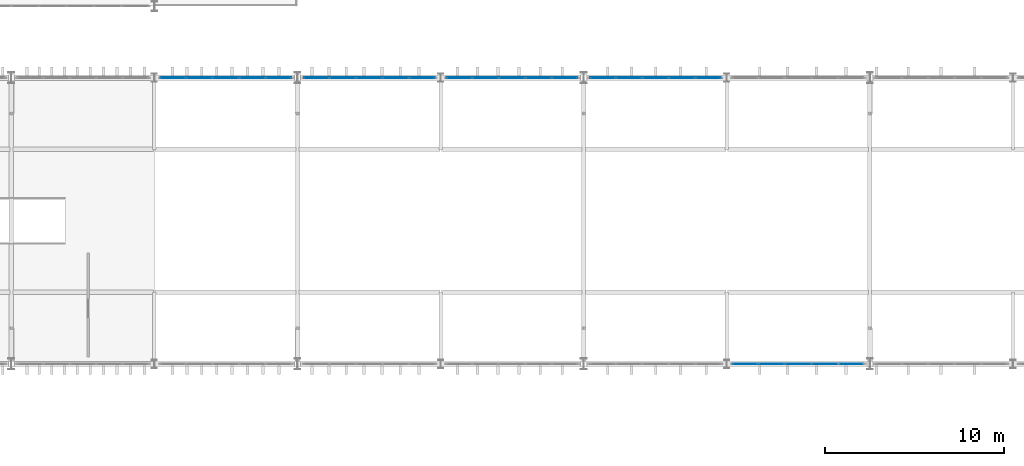
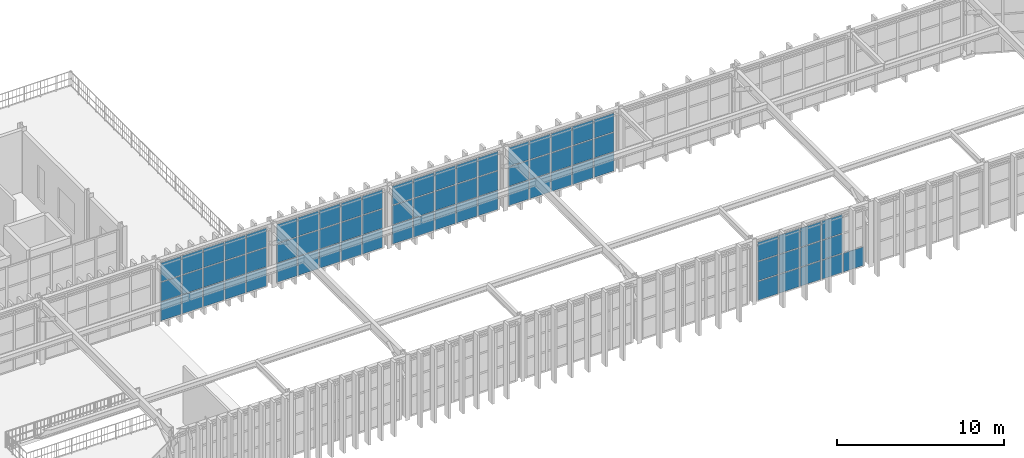
# One storey, part 42 of 61: 73 plates, 5 elements without a shape of their own.
"""IFC4 building model written with IfcOpenShell, lengths in metres."""

from ifc_helpers import new_model, si_unit, direction, frame, origin, origin_2d, place, context, subcontext, project, spatial, rectangle, extrude, material, layer, layer_set, type_object, element, aggregate, save


model = new_model("IFC4")

# Units and contexts
model_context = context("Model", 3, precision=1e-05, world=origin(), true_north=direction((0.0, 1.0)))
body_context = subcontext(model_context, "Body", "Model", "MODEL_VIEW")
ifc_project = project(units=[si_unit("LENGTHUNIT", "METRE"), si_unit("AREAUNIT", "SQUARE_METRE"), si_unit("VOLUMEUNIT", "CUBIC_METRE"), si_unit("PLANEANGLEUNIT", "RADIAN"), si_unit("MASSUNIT", "GRAM", prefix="KILO")], contexts=[model_context])

# Site, building, storey
site_placement = place(None, origin())
site = spatial("IfcSite", under=ifc_project, at=site_placement, CompositionType="ELEMENT")
building_placement = place(site_placement, origin())
building = spatial("IfcBuilding", under=site, at=building_placement, Name="Serraluz Foothill Cableway Terminal", CompositionType="ELEMENT")
storey_placement = place(building_placement, frame((0.0, 0.0, 15.0)))
storey = spatial("IfcBuildingStorey", under=building, at=storey_placement, Name="L03", CompositionType="ELEMENT", Elevation=15.0)

# Curtain wall, plates
ifc_material_1 = material(Name="Architectural bronze alloy C28000", Category="aluminium")
curtain_wall_type_1 = type_object("IfcCurtainWallType", Name="TYP-CW-880X420", PredefinedType="NOTDEFINED", material=ifc_material_1)
curtain_wall_1_placement = place(storey_placement, origin())
curtain_wall_1 = element("IfcCurtainWall", 1, at=curtain_wall_1_placement, inside=storey, type_object=curtain_wall_type_1, Name="Ribbed Glazed Curtain Wall CW-V1N-L03-96", PredefinedType="NOTDEFINED")
ifc_material_2 = material(Name="Translucent ribbed laminated channel glass", Category="glass")
ifc_layer = layer(ifc_material_2, 0.0419921875, Name="Translucent ribbed laminated channel glass", Category="glass")
ifc_layer_set = layer_set([ifc_layer], Name="Translucent ribbed laminated channel glass")
plate_type = type_object("IfcPlateType", Name="TYP-CW-PNL-42", PredefinedType="CURTAIN_PANEL", material=ifc_layer_set)
plate_1_placement = place(storey_placement, frame((97.0380859375, 72.0, 0.06005859375), z_axis=(0.0, 0.0, 1.0), x_axis=(1.0, 0.0, 0.0)))
plate_1 = element("IfcPlate", 2, at=plate_1_placement, type_object=plate_type, Name="CW-19 panel 1.1", PredefinedType="CURTAIN_PANEL", context=body_context, shape_type="SweptSolid", body=[
    extrude(rectangle(XDim=1.393310546875, YDim=0.0419921875, at=origin_2d()), origin(), (0.0, 0.0, 1.0), 1.360107421875),
])
plate_2_placement = place(storey_placement, frame((97.0380859375, 72.0, 1.47998046875), z_axis=(0.0, 0.0, 1.0), x_axis=(1.0, 0.0, 0.0)))
plate_2 = element("IfcPlate", 3, at=plate_2_placement, type_object=plate_type, Name="CW-19 panel 1.2", PredefinedType="CURTAIN_PANEL", context=body_context, shape_type="SweptSolid", body=[
    extrude(rectangle(XDim=1.393310546875, YDim=0.0419921875, at=origin_2d()), origin(), (0.0, 0.0, 1.0), 1.389892578125),
])
plate_3_placement = place(storey_placement, frame((97.0380859375, 72.0, 2.93017578125), z_axis=(0.0, 0.0, 1.0), x_axis=(1.0, 0.0, 0.0)))
plate_3 = element("IfcPlate", 4, at=plate_3_placement, type_object=plate_type, Name="CW-19 panel 1.3", PredefinedType="CURTAIN_PANEL", context=body_context, shape_type="SweptSolid", body=[
    extrude(rectangle(XDim=1.393310546875, YDim=0.0419921875, at=origin_2d()), origin(), (0.0, 0.0, 1.0), 1.360107421875),
])
plate_4_placement = place(storey_placement, frame((98.50634765625, 72.0, 0.06005859375), z_axis=(0.0, 0.0, 1.0), x_axis=(1.0, 0.0, 0.0)))
plate_4 = element("IfcPlate", 5, at=plate_4_placement, type_object=plate_type, Name="CW-19 panel 2.1", PredefinedType="CURTAIN_PANEL", context=body_context, shape_type="SweptSolid", body=[
    extrude(rectangle(XDim=1.423095703125, YDim=0.0419921875, at=origin_2d()), origin(), (0.0, 0.0, 1.0), 1.360107421875),
])
plate_5_placement = place(storey_placement, frame((98.50634765625, 72.0, 1.47998046875), z_axis=(0.0, 0.0, 1.0), x_axis=(1.0, 0.0, 0.0)))
plate_5 = element("IfcPlate", 6, at=plate_5_placement, type_object=plate_type, Name="CW-19 panel 2.2", PredefinedType="CURTAIN_PANEL", context=body_context, shape_type="SweptSolid", body=[
    extrude(rectangle(XDim=1.423095703125, YDim=0.0419921875, at=origin_2d()), origin(), (0.0, 0.0, 1.0), 1.389892578125),
])
plate_6_placement = place(storey_placement, frame((98.50634765625, 72.0, 2.93017578125), z_axis=(0.0, 0.0, 1.0), x_axis=(1.0, 0.0, 0.0)))
plate_6 = element("IfcPlate", 7, at=plate_6_placement, type_object=plate_type, Name="CW-19 panel 2.3", PredefinedType="CURTAIN_PANEL", context=body_context, shape_type="SweptSolid", body=[
    extrude(rectangle(XDim=1.423095703125, YDim=0.0419921875, at=origin_2d()), origin(), (0.0, 0.0, 1.0), 1.360107421875),
])
plate_7_placement = place(storey_placement, frame((99.989501953125, 72.0, 0.06005859375), z_axis=(0.0, 0.0, 1.0), x_axis=(1.0, 0.0, 0.0)))
plate_7 = element("IfcPlate", 8, at=plate_7_placement, type_object=plate_type, Name="CW-19 panel 3.1", PredefinedType="CURTAIN_PANEL", context=body_context, shape_type="SweptSolid", body=[
    extrude(rectangle(XDim=1.423095703125, YDim=0.0419921875, at=origin_2d()), origin(), (0.0, 0.0, 1.0), 1.360107421875),
])
plate_8_placement = place(storey_placement, frame((99.989501953125, 72.0, 1.47998046875), z_axis=(0.0, 0.0, 1.0), x_axis=(1.0, 0.0, 0.0)))
plate_8 = element("IfcPlate", 9, at=plate_8_placement, type_object=plate_type, Name="CW-19 panel 3.2", PredefinedType="CURTAIN_PANEL", context=body_context, shape_type="SweptSolid", body=[
    extrude(rectangle(XDim=1.423095703125, YDim=0.0419921875, at=origin_2d()), origin(), (0.0, 0.0, 1.0), 1.389892578125),
])
plate_9_placement = place(storey_placement, frame((99.989501953125, 72.0, 2.93017578125), z_axis=(0.0, 0.0, 1.0), x_axis=(1.0, 0.0, 0.0)))
plate_9 = element("IfcPlate", 10, at=plate_9_placement, type_object=plate_type, Name="CW-19 panel 3.3", PredefinedType="CURTAIN_PANEL", context=body_context, shape_type="SweptSolid", body=[
    extrude(rectangle(XDim=1.423095703125, YDim=0.0419921875, at=origin_2d()), origin(), (0.0, 0.0, 1.0), 1.360107421875),
])
plate_10_placement = place(storey_placement, frame((101.47265625, 72.0, 0.06005859375), z_axis=(0.0, 0.0, 1.0), x_axis=(1.0, 0.0, 0.0)))
plate_10 = element("IfcPlate", 11, at=plate_10_placement, type_object=plate_type, Name="CW-19 panel 4.1", PredefinedType="CURTAIN_PANEL", context=body_context, shape_type="SweptSolid", body=[
    extrude(rectangle(XDim=1.423095703125, YDim=0.0419921875, at=origin_2d()), origin(), (0.0, 0.0, 1.0), 1.360107421875),
])
plate_11_placement = place(storey_placement, frame((101.47265625, 72.0, 1.47998046875), z_axis=(0.0, 0.0, 1.0), x_axis=(1.0, 0.0, 0.0)))
plate_11 = element("IfcPlate", 12, at=plate_11_placement, type_object=plate_type, Name="CW-19 panel 4.2", PredefinedType="CURTAIN_PANEL", context=body_context, shape_type="SweptSolid", body=[
    extrude(rectangle(XDim=1.423095703125, YDim=0.0419921875, at=origin_2d()), origin(), (0.0, 0.0, 1.0), 1.389892578125),
])
plate_12_placement = place(storey_placement, frame((101.47265625, 72.0, 2.93017578125), z_axis=(0.0, 0.0, 1.0), x_axis=(1.0, 0.0, 0.0)))
plate_12 = element("IfcPlate", 13, at=plate_12_placement, type_object=plate_type, Name="CW-19 panel 4.3", PredefinedType="CURTAIN_PANEL", context=body_context, shape_type="SweptSolid", body=[
    extrude(rectangle(XDim=1.423095703125, YDim=0.0419921875, at=origin_2d()), origin(), (0.0, 0.0, 1.0), 1.360107421875),
])
plate_13_placement = place(storey_placement, frame((102.94091796875, 72.0, 0.06005859375), z_axis=(0.0, 0.0, 1.0), x_axis=(1.0, 0.0, 0.0)))
plate_13 = element("IfcPlate", 14, at=plate_13_placement, type_object=plate_type, Name="CW-19 panel 5.1", PredefinedType="CURTAIN_PANEL", context=body_context, shape_type="SweptSolid", body=[
    extrude(rectangle(XDim=1.393310546875, YDim=0.0419921875, at=origin_2d()), origin(), (0.0, 0.0, 1.0), 1.360107421875),
])
plate_14_placement = place(storey_placement, frame((102.94091796875, 72.0, 1.47998046875), z_axis=(0.0, 0.0, 1.0), x_axis=(1.0, 0.0, 0.0)))
plate_14 = element("IfcPlate", 15, at=plate_14_placement, type_object=plate_type, Name="CW-19 panel 5.2", PredefinedType="CURTAIN_PANEL", context=body_context, shape_type="SweptSolid", body=[
    extrude(rectangle(XDim=1.393310546875, YDim=0.0419921875, at=origin_2d()), origin(), (0.0, 0.0, 1.0), 1.389892578125),
])
plate_15_placement = place(storey_placement, frame((102.94091796875, 72.0, 2.93017578125), z_axis=(0.0, 0.0, 1.0), x_axis=(1.0, 0.0, 0.0)))
plate_15 = element("IfcPlate", 16, at=plate_15_placement, type_object=plate_type, Name="CW-19 panel 5.3", PredefinedType="CURTAIN_PANEL", context=body_context, shape_type="SweptSolid", body=[
    extrude(rectangle(XDim=1.393310546875, YDim=0.0419921875, at=origin_2d()), origin(), (0.0, 0.0, 1.0), 1.360107421875),
])
aggregate(curtain_wall_1, [plate_1, plate_2, plate_3, plate_4, plate_5, plate_6, plate_7, plate_8, plate_9, plate_10, plate_11, plate_12, plate_13, plate_14, plate_15])

curtain_wall_type_2 = type_object("IfcCurtainWallType", Name="TYP-CW-920X440", PredefinedType="NOTDEFINED", material=ifc_material_1)
curtain_wall_2_placement = place(storey_placement, origin())
curtain_wall_2 = element("IfcCurtainWall", 17, at=curtain_wall_2_placement, inside=storey, type_object=curtain_wall_type_2, Name="Ribbed Glazed Curtain Wall CW-V1N-L03-104", PredefinedType="NOTDEFINED")
plate_16_placement = place(storey_placement, frame((105.05908203125, 72.0, 0.06005859375), z_axis=(0.0, 0.0, 1.0), x_axis=(1.0, 0.0, 0.0)))
plate_16 = element("IfcPlate", 18, at=plate_16_placement, type_object=plate_type, Name="CW-20 panel 1.1", PredefinedType="CURTAIN_PANEL", context=body_context, shape_type="SweptSolid", body=[
    extrude(rectangle(XDim=1.393310546875, YDim=0.0419921875, at=origin_2d()), origin(), (0.0, 0.0, 1.0), 1.360107421875),
])
plate_17_placement = place(storey_placement, frame((105.05908203125, 72.0, 1.47998046875), z_axis=(0.0, 0.0, 1.0), x_axis=(1.0, 0.0, 0.0)))
plate_17 = element("IfcPlate", 19, at=plate_17_placement, type_object=plate_type, Name="CW-20 panel 1.2", PredefinedType="CURTAIN_PANEL", context=body_context, shape_type="SweptSolid", body=[
    extrude(rectangle(XDim=1.393310546875, YDim=0.0419921875, at=origin_2d()), origin(), (0.0, 0.0, 1.0), 1.389892578125),
])
plate_18_placement = place(storey_placement, frame((105.05908203125, 72.0, 2.93017578125), z_axis=(0.0, 0.0, 1.0), x_axis=(1.0, 0.0, 0.0)))
plate_18 = element("IfcPlate", 20, at=plate_18_placement, type_object=plate_type, Name="CW-20 panel 1.3", PredefinedType="CURTAIN_PANEL", context=body_context, shape_type="SweptSolid", body=[
    extrude(rectangle(XDim=1.393310546875, YDim=0.0419921875, at=origin_2d()), origin(), (0.0, 0.0, 1.0), 1.360107421875),
])
plate_19_placement = place(storey_placement, frame((106.52734375, 72.0, 0.06005859375), z_axis=(0.0, 0.0, 1.0), x_axis=(1.0, 0.0, 0.0)))
plate_19 = element("IfcPlate", 21, at=plate_19_placement, type_object=plate_type, Name="CW-20 panel 2.1", PredefinedType="CURTAIN_PANEL", context=body_context, shape_type="SweptSolid", body=[
    extrude(rectangle(XDim=1.423095703125, YDim=0.0419921875, at=origin_2d()), origin(), (0.0, 0.0, 1.0), 1.360107421875),
])
plate_20_placement = place(storey_placement, frame((106.52734375, 72.0, 1.47998046875), z_axis=(0.0, 0.0, 1.0), x_axis=(1.0, 0.0, 0.0)))
plate_20 = element("IfcPlate", 22, at=plate_20_placement, type_object=plate_type, Name="CW-20 panel 2.2", PredefinedType="CURTAIN_PANEL", context=body_context, shape_type="SweptSolid", body=[
    extrude(rectangle(XDim=1.423095703125, YDim=0.0419921875, at=origin_2d()), origin(), (0.0, 0.0, 1.0), 1.389892578125),
])
plate_21_placement = place(storey_placement, frame((106.52734375, 72.0, 2.93017578125), z_axis=(0.0, 0.0, 1.0), x_axis=(1.0, 0.0, 0.0)))
plate_21 = element("IfcPlate", 23, at=plate_21_placement, type_object=plate_type, Name="CW-20 panel 2.3", PredefinedType="CURTAIN_PANEL", context=body_context, shape_type="SweptSolid", body=[
    extrude(rectangle(XDim=1.423095703125, YDim=0.0419921875, at=origin_2d()), origin(), (0.0, 0.0, 1.0), 1.360107421875),
])
plate_22_placement = place(storey_placement, frame((108.010498046875, 72.0, 0.06005859375), z_axis=(0.0, 0.0, 1.0), x_axis=(1.0, 0.0, 0.0)))
plate_22 = element("IfcPlate", 24, at=plate_22_placement, type_object=plate_type, Name="CW-20 panel 3.1", PredefinedType="CURTAIN_PANEL", context=body_context, shape_type="SweptSolid", body=[
    extrude(rectangle(XDim=1.423095703125, YDim=0.0419921875, at=origin_2d()), origin(), (0.0, 0.0, 1.0), 1.360107421875),
])
plate_23_placement = place(storey_placement, frame((108.010498046875, 72.0, 1.47998046875), z_axis=(0.0, 0.0, 1.0), x_axis=(1.0, 0.0, 0.0)))
plate_23 = element("IfcPlate", 25, at=plate_23_placement, type_object=plate_type, Name="CW-20 panel 3.2", PredefinedType="CURTAIN_PANEL", context=body_context, shape_type="SweptSolid", body=[
    extrude(rectangle(XDim=1.423095703125, YDim=0.0419921875, at=origin_2d()), origin(), (0.0, 0.0, 1.0), 1.389892578125),
])
plate_24_placement = place(storey_placement, frame((108.010498046875, 72.0, 2.93017578125), z_axis=(0.0, 0.0, 1.0), x_axis=(1.0, 0.0, 0.0)))
plate_24 = element("IfcPlate", 26, at=plate_24_placement, type_object=plate_type, Name="CW-20 panel 3.3", PredefinedType="CURTAIN_PANEL", context=body_context, shape_type="SweptSolid", body=[
    extrude(rectangle(XDim=1.423095703125, YDim=0.0419921875, at=origin_2d()), origin(), (0.0, 0.0, 1.0), 1.360107421875),
])
plate_25_placement = place(storey_placement, frame((109.49365234375, 72.0, 0.06005859375), z_axis=(0.0, 0.0, 1.0), x_axis=(1.0, 0.0, 0.0)))
plate_25 = element("IfcPlate", 27, at=plate_25_placement, type_object=plate_type, Name="CW-20 panel 4.1", PredefinedType="CURTAIN_PANEL", context=body_context, shape_type="SweptSolid", body=[
    extrude(rectangle(XDim=1.423095703125, YDim=0.0419921875, at=origin_2d()), origin(), (0.0, 0.0, 1.0), 1.360107421875),
])
plate_26_placement = place(storey_placement, frame((109.49365234375, 72.0, 1.47998046875), z_axis=(0.0, 0.0, 1.0), x_axis=(1.0, 0.0, 0.0)))
plate_26 = element("IfcPlate", 28, at=plate_26_placement, type_object=plate_type, Name="CW-20 panel 4.2", PredefinedType="CURTAIN_PANEL", context=body_context, shape_type="SweptSolid", body=[
    extrude(rectangle(XDim=1.423095703125, YDim=0.0419921875, at=origin_2d()), origin(), (0.0, 0.0, 1.0), 1.389892578125),
])
plate_27_placement = place(storey_placement, frame((109.49365234375, 72.0, 2.93017578125), z_axis=(0.0, 0.0, 1.0), x_axis=(1.0, 0.0, 0.0)))
plate_27 = element("IfcPlate", 29, at=plate_27_placement, type_object=plate_type, Name="CW-20 panel 4.3", PredefinedType="CURTAIN_PANEL", context=body_context, shape_type="SweptSolid", body=[
    extrude(rectangle(XDim=1.423095703125, YDim=0.0419921875, at=origin_2d()), origin(), (0.0, 0.0, 1.0), 1.360107421875),
])
plate_28_placement = place(storey_placement, frame((110.9619140625, 72.0, 0.06005859375), z_axis=(0.0, 0.0, 1.0), x_axis=(1.0, 0.0, 0.0)))
plate_28 = element("IfcPlate", 30, at=plate_28_placement, type_object=plate_type, Name="CW-20 panel 5.1", PredefinedType="CURTAIN_PANEL", context=body_context, shape_type="SweptSolid", body=[
    extrude(rectangle(XDim=1.393310546875, YDim=0.0419921875, at=origin_2d()), origin(), (0.0, 0.0, 1.0), 1.360107421875),
])
plate_29_placement = place(storey_placement, frame((110.9619140625, 72.0, 1.47998046875), z_axis=(0.0, 0.0, 1.0), x_axis=(1.0, 0.0, 0.0)))
plate_29 = element("IfcPlate", 31, at=plate_29_placement, type_object=plate_type, Name="CW-20 panel 5.2", PredefinedType="CURTAIN_PANEL", context=body_context, shape_type="SweptSolid", body=[
    extrude(rectangle(XDim=1.393310546875, YDim=0.0419921875, at=origin_2d()), origin(), (0.0, 0.0, 1.0), 1.389892578125),
])
plate_30_placement = place(storey_placement, frame((110.9619140625, 72.0, 2.93017578125), z_axis=(0.0, 0.0, 1.0), x_axis=(1.0, 0.0, 0.0)))
plate_30 = element("IfcPlate", 32, at=plate_30_placement, type_object=plate_type, Name="CW-20 panel 5.3", PredefinedType="CURTAIN_PANEL", context=body_context, shape_type="SweptSolid", body=[
    extrude(rectangle(XDim=1.393310546875, YDim=0.0419921875, at=origin_2d()), origin(), (0.0, 0.0, 1.0), 1.360107421875),
])
aggregate(curtain_wall_2, [plate_16, plate_17, plate_18, plate_19, plate_20, plate_21, plate_22, plate_23, plate_24, plate_25, plate_26, plate_27, plate_28, plate_29, plate_30])

curtain_wall_type_3 = type_object("IfcCurtainWallType", Name="TYP-CW-1120X420", PredefinedType="NOTDEFINED", material=ifc_material_1)
curtain_wall_3_placement = place(storey_placement, origin())
curtain_wall_3 = element("IfcCurtainWall", 33, at=curtain_wall_3_placement, inside=storey, type_object=curtain_wall_type_3, Name="Ribbed Glazed Curtain Wall CW-V1N-L03-112", PredefinedType="NOTDEFINED")
plate_31_placement = place(storey_placement, frame((113.0380859375, 72.0, 0.06005859375), z_axis=(0.0, 0.0, 1.0), x_axis=(1.0, 0.0, 0.0)))
plate_31 = element("IfcPlate", 34, at=plate_31_placement, type_object=plate_type, Name="CW-21 panel 1.1", PredefinedType="CURTAIN_PANEL", context=body_context, shape_type="SweptSolid", body=[
    extrude(rectangle(XDim=1.393310546875, YDim=0.0419921875, at=origin_2d()), origin(), (0.0, 0.0, 1.0), 1.360107421875),
])
plate_32_placement = place(storey_placement, frame((113.0380859375, 72.0, 1.47998046875), z_axis=(0.0, 0.0, 1.0), x_axis=(1.0, 0.0, 0.0)))
plate_32 = element("IfcPlate", 35, at=plate_32_placement, type_object=plate_type, Name="CW-21 panel 1.2", PredefinedType="CURTAIN_PANEL", context=body_context, shape_type="SweptSolid", body=[
    extrude(rectangle(XDim=1.393310546875, YDim=0.0419921875, at=origin_2d()), origin(), (0.0, 0.0, 1.0), 1.389892578125),
])
plate_33_placement = place(storey_placement, frame((113.0380859375, 72.0, 2.93017578125), z_axis=(0.0, 0.0, 1.0), x_axis=(1.0, 0.0, 0.0)))
plate_33 = element("IfcPlate", 36, at=plate_33_placement, type_object=plate_type, Name="CW-21 panel 1.3", PredefinedType="CURTAIN_PANEL", context=body_context, shape_type="SweptSolid", body=[
    extrude(rectangle(XDim=1.393310546875, YDim=0.0419921875, at=origin_2d()), origin(), (0.0, 0.0, 1.0), 1.360107421875),
])
plate_34_placement = place(storey_placement, frame((114.50634765625, 72.0, 0.06005859375), z_axis=(0.0, 0.0, 1.0), x_axis=(1.0, 0.0, 0.0)))
plate_34 = element("IfcPlate", 37, at=plate_34_placement, type_object=plate_type, Name="CW-21 panel 2.1", PredefinedType="CURTAIN_PANEL", context=body_context, shape_type="SweptSolid", body=[
    extrude(rectangle(XDim=1.423095703125, YDim=0.0419921875, at=origin_2d()), origin(), (0.0, 0.0, 1.0), 1.360107421875),
])
plate_35_placement = place(storey_placement, frame((114.50634765625, 72.0, 1.47998046875), z_axis=(0.0, 0.0, 1.0), x_axis=(1.0, 0.0, 0.0)))
plate_35 = element("IfcPlate", 38, at=plate_35_placement, type_object=plate_type, Name="CW-21 panel 2.2", PredefinedType="CURTAIN_PANEL", context=body_context, shape_type="SweptSolid", body=[
    extrude(rectangle(XDim=1.423095703125, YDim=0.0419921875, at=origin_2d()), origin(), (0.0, 0.0, 1.0), 1.389892578125),
])
plate_36_placement = place(storey_placement, frame((114.50634765625, 72.0, 2.93017578125), z_axis=(0.0, 0.0, 1.0), x_axis=(1.0, 0.0, 0.0)))
plate_36 = element("IfcPlate", 39, at=plate_36_placement, type_object=plate_type, Name="CW-21 panel 2.3", PredefinedType="CURTAIN_PANEL", context=body_context, shape_type="SweptSolid", body=[
    extrude(rectangle(XDim=1.423095703125, YDim=0.0419921875, at=origin_2d()), origin(), (0.0, 0.0, 1.0), 1.360107421875),
])
plate_37_placement = place(storey_placement, frame((115.989501953125, 72.0, 0.06005859375), z_axis=(0.0, 0.0, 1.0), x_axis=(1.0, 0.0, 0.0)))
plate_37 = element("IfcPlate", 40, at=plate_37_placement, type_object=plate_type, Name="CW-21 panel 3.1", PredefinedType="CURTAIN_PANEL", context=body_context, shape_type="SweptSolid", body=[
    extrude(rectangle(XDim=1.423095703125, YDim=0.0419921875, at=origin_2d()), origin(), (0.0, 0.0, 1.0), 1.360107421875),
])
plate_38_placement = place(storey_placement, frame((115.989501953125, 72.0, 1.47998046875), z_axis=(0.0, 0.0, 1.0), x_axis=(1.0, 0.0, 0.0)))
plate_38 = element("IfcPlate", 41, at=plate_38_placement, type_object=plate_type, Name="CW-21 panel 3.2", PredefinedType="CURTAIN_PANEL", context=body_context, shape_type="SweptSolid", body=[
    extrude(rectangle(XDim=1.423095703125, YDim=0.0419921875, at=origin_2d()), origin(), (0.0, 0.0, 1.0), 1.389892578125),
])
plate_39_placement = place(storey_placement, frame((115.989501953125, 72.0, 2.93017578125), z_axis=(0.0, 0.0, 1.0), x_axis=(1.0, 0.0, 0.0)))
plate_39 = element("IfcPlate", 42, at=plate_39_placement, type_object=plate_type, Name="CW-21 panel 3.3", PredefinedType="CURTAIN_PANEL", context=body_context, shape_type="SweptSolid", body=[
    extrude(rectangle(XDim=1.423095703125, YDim=0.0419921875, at=origin_2d()), origin(), (0.0, 0.0, 1.0), 1.360107421875),
])
plate_40_placement = place(storey_placement, frame((117.47265625, 72.0, 0.06005859375), z_axis=(0.0, 0.0, 1.0), x_axis=(1.0, 0.0, 0.0)))
plate_40 = element("IfcPlate", 43, at=plate_40_placement, type_object=plate_type, Name="CW-21 panel 4.1", PredefinedType="CURTAIN_PANEL", context=body_context, shape_type="SweptSolid", body=[
    extrude(rectangle(XDim=1.423095703125, YDim=0.0419921875, at=origin_2d()), origin(), (0.0, 0.0, 1.0), 1.360107421875),
])
plate_41_placement = place(storey_placement, frame((117.47265625, 72.0, 1.47998046875), z_axis=(0.0, 0.0, 1.0), x_axis=(1.0, 0.0, 0.0)))
plate_41 = element("IfcPlate", 44, at=plate_41_placement, type_object=plate_type, Name="CW-21 panel 4.2", PredefinedType="CURTAIN_PANEL", context=body_context, shape_type="SweptSolid", body=[
    extrude(rectangle(XDim=1.423095703125, YDim=0.0419921875, at=origin_2d()), origin(), (0.0, 0.0, 1.0), 1.389892578125),
])
plate_42_placement = place(storey_placement, frame((117.47265625, 72.0, 2.93017578125), z_axis=(0.0, 0.0, 1.0), x_axis=(1.0, 0.0, 0.0)))
plate_42 = element("IfcPlate", 45, at=plate_42_placement, type_object=plate_type, Name="CW-21 panel 4.3", PredefinedType="CURTAIN_PANEL", context=body_context, shape_type="SweptSolid", body=[
    extrude(rectangle(XDim=1.423095703125, YDim=0.0419921875, at=origin_2d()), origin(), (0.0, 0.0, 1.0), 1.360107421875),
])
plate_43_placement = place(storey_placement, frame((118.94091796875, 72.0, 0.06005859375), z_axis=(0.0, 0.0, 1.0), x_axis=(1.0, 0.0, 0.0)))
plate_43 = element("IfcPlate", 46, at=plate_43_placement, type_object=plate_type, Name="CW-21 panel 5.1", PredefinedType="CURTAIN_PANEL", context=body_context, shape_type="SweptSolid", body=[
    extrude(rectangle(XDim=1.393310546875, YDim=0.0419921875, at=origin_2d()), origin(), (0.0, 0.0, 1.0), 1.360107421875),
])
plate_44_placement = place(storey_placement, frame((118.94091796875, 72.0, 1.47998046875), z_axis=(0.0, 0.0, 1.0), x_axis=(1.0, 0.0, 0.0)))
plate_44 = element("IfcPlate", 47, at=plate_44_placement, type_object=plate_type, Name="CW-21 panel 5.2", PredefinedType="CURTAIN_PANEL", context=body_context, shape_type="SweptSolid", body=[
    extrude(rectangle(XDim=1.393310546875, YDim=0.0419921875, at=origin_2d()), origin(), (0.0, 0.0, 1.0), 1.389892578125),
])
plate_45_placement = place(storey_placement, frame((118.94091796875, 72.0, 2.93017578125), z_axis=(0.0, 0.0, 1.0), x_axis=(1.0, 0.0, 0.0)))
plate_45 = element("IfcPlate", 48, at=plate_45_placement, type_object=plate_type, Name="CW-21 panel 5.3", PredefinedType="CURTAIN_PANEL", context=body_context, shape_type="SweptSolid", body=[
    extrude(rectangle(XDim=1.393310546875, YDim=0.0419921875, at=origin_2d()), origin(), (0.0, 0.0, 1.0), 1.360107421875),
])
aggregate(curtain_wall_3, [plate_31, plate_32, plate_33, plate_34, plate_35, plate_36, plate_37, plate_38, plate_39, plate_40, plate_41, plate_42, plate_43, plate_44, plate_45])

curtain_wall_type_4 = type_object("IfcCurtainWallType", Name="TYP-CW-1280X440", PredefinedType="NOTDEFINED", material=ifc_material_1)
curtain_wall_4_placement = place(storey_placement, origin())
curtain_wall_4 = element("IfcCurtainWall", 49, at=curtain_wall_4_placement, inside=storey, type_object=curtain_wall_type_4, Name="Ribbed Glazed Curtain Wall CW-V1N-L03-120", PredefinedType="NOTDEFINED")
plate_46_placement = place(storey_placement, frame((121.05908203125, 72.0, 0.06005859375), z_axis=(0.0, 0.0, 1.0), x_axis=(1.0, 0.0, 0.0)))
plate_46 = element("IfcPlate", 50, at=plate_46_placement, type_object=plate_type, Name="CW-22 panel 1.1", PredefinedType="CURTAIN_PANEL", context=body_context, shape_type="SweptSolid", body=[
    extrude(rectangle(XDim=1.393310546875, YDim=0.0419921875, at=origin_2d()), origin(), (0.0, 0.0, 1.0), 1.360107421875),
])
plate_47_placement = place(storey_placement, frame((121.05908203125, 72.0, 1.47998046875), z_axis=(0.0, 0.0, 1.0), x_axis=(1.0, 0.0, 0.0)))
plate_47 = element("IfcPlate", 51, at=plate_47_placement, type_object=plate_type, Name="CW-22 panel 1.2", PredefinedType="CURTAIN_PANEL", context=body_context, shape_type="SweptSolid", body=[
    extrude(rectangle(XDim=1.393310546875, YDim=0.0419921875, at=origin_2d()), origin(), (0.0, 0.0, 1.0), 1.389892578125),
])
plate_48_placement = place(storey_placement, frame((121.05908203125, 72.0, 2.93017578125), z_axis=(0.0, 0.0, 1.0), x_axis=(1.0, 0.0, 0.0)))
plate_48 = element("IfcPlate", 52, at=plate_48_placement, type_object=plate_type, Name="CW-22 panel 1.3", PredefinedType="CURTAIN_PANEL", context=body_context, shape_type="SweptSolid", body=[
    extrude(rectangle(XDim=1.393310546875, YDim=0.0419921875, at=origin_2d()), origin(), (0.0, 0.0, 1.0), 1.360107421875),
])
plate_49_placement = place(storey_placement, frame((122.52734375, 72.0, 0.06005859375), z_axis=(0.0, 0.0, 1.0), x_axis=(1.0, 0.0, 0.0)))
plate_49 = element("IfcPlate", 53, at=plate_49_placement, type_object=plate_type, Name="CW-22 panel 2.1", PredefinedType="CURTAIN_PANEL", context=body_context, shape_type="SweptSolid", body=[
    extrude(rectangle(XDim=1.423095703125, YDim=0.0419921875, at=origin_2d()), origin(), (0.0, 0.0, 1.0), 1.360107421875),
])
plate_50_placement = place(storey_placement, frame((122.52734375, 72.0, 1.47998046875), z_axis=(0.0, 0.0, 1.0), x_axis=(1.0, 0.0, 0.0)))
plate_50 = element("IfcPlate", 54, at=plate_50_placement, type_object=plate_type, Name="CW-22 panel 2.2", PredefinedType="CURTAIN_PANEL", context=body_context, shape_type="SweptSolid", body=[
    extrude(rectangle(XDim=1.423095703125, YDim=0.0419921875, at=origin_2d()), origin(), (0.0, 0.0, 1.0), 1.389892578125),
])
plate_51_placement = place(storey_placement, frame((122.52734375, 72.0, 2.93017578125), z_axis=(0.0, 0.0, 1.0), x_axis=(1.0, 0.0, 0.0)))
plate_51 = element("IfcPlate", 55, at=plate_51_placement, type_object=plate_type, Name="CW-22 panel 2.3", PredefinedType="CURTAIN_PANEL", context=body_context, shape_type="SweptSolid", body=[
    extrude(rectangle(XDim=1.423095703125, YDim=0.0419921875, at=origin_2d()), origin(), (0.0, 0.0, 1.0), 1.360107421875),
])
plate_52_placement = place(storey_placement, frame((124.010498046875, 72.0, 0.06005859375), z_axis=(0.0, 0.0, 1.0), x_axis=(1.0, 0.0, 0.0)))
plate_52 = element("IfcPlate", 56, at=plate_52_placement, type_object=plate_type, Name="CW-22 panel 3.1", PredefinedType="CURTAIN_PANEL", context=body_context, shape_type="SweptSolid", body=[
    extrude(rectangle(XDim=1.423095703125, YDim=0.0419921875, at=origin_2d()), origin(), (0.0, 0.0, 1.0), 1.360107421875),
])
plate_53_placement = place(storey_placement, frame((124.010498046875, 72.0, 1.47998046875), z_axis=(0.0, 0.0, 1.0), x_axis=(1.0, 0.0, 0.0)))
plate_53 = element("IfcPlate", 57, at=plate_53_placement, type_object=plate_type, Name="CW-22 panel 3.2", PredefinedType="CURTAIN_PANEL", context=body_context, shape_type="SweptSolid", body=[
    extrude(rectangle(XDim=1.423095703125, YDim=0.0419921875, at=origin_2d()), origin(), (0.0, 0.0, 1.0), 1.389892578125),
])
plate_54_placement = place(storey_placement, frame((124.010498046875, 72.0, 2.93017578125), z_axis=(0.0, 0.0, 1.0), x_axis=(1.0, 0.0, 0.0)))
plate_54 = element("IfcPlate", 58, at=plate_54_placement, type_object=plate_type, Name="CW-22 panel 3.3", PredefinedType="CURTAIN_PANEL", context=body_context, shape_type="SweptSolid", body=[
    extrude(rectangle(XDim=1.423095703125, YDim=0.0419921875, at=origin_2d()), origin(), (0.0, 0.0, 1.0), 1.360107421875),
])
plate_55_placement = place(storey_placement, frame((125.49365234375, 72.0, 0.06005859375), z_axis=(0.0, 0.0, 1.0), x_axis=(1.0, 0.0, 0.0)))
plate_55 = element("IfcPlate", 59, at=plate_55_placement, type_object=plate_type, Name="CW-22 panel 4.1", PredefinedType="CURTAIN_PANEL", context=body_context, shape_type="SweptSolid", body=[
    extrude(rectangle(XDim=1.423095703125, YDim=0.0419921875, at=origin_2d()), origin(), (0.0, 0.0, 1.0), 1.360107421875),
])
plate_56_placement = place(storey_placement, frame((125.49365234375, 72.0, 1.47998046875), z_axis=(0.0, 0.0, 1.0), x_axis=(1.0, 0.0, 0.0)))
plate_56 = element("IfcPlate", 60, at=plate_56_placement, type_object=plate_type, Name="CW-22 panel 4.2", PredefinedType="CURTAIN_PANEL", context=body_context, shape_type="SweptSolid", body=[
    extrude(rectangle(XDim=1.423095703125, YDim=0.0419921875, at=origin_2d()), origin(), (0.0, 0.0, 1.0), 1.389892578125),
])
plate_57_placement = place(storey_placement, frame((125.49365234375, 72.0, 2.93017578125), z_axis=(0.0, 0.0, 1.0), x_axis=(1.0, 0.0, 0.0)))
plate_57 = element("IfcPlate", 61, at=plate_57_placement, type_object=plate_type, Name="CW-22 panel 4.3", PredefinedType="CURTAIN_PANEL", context=body_context, shape_type="SweptSolid", body=[
    extrude(rectangle(XDim=1.423095703125, YDim=0.0419921875, at=origin_2d()), origin(), (0.0, 0.0, 1.0), 1.360107421875),
])
plate_58_placement = place(storey_placement, frame((126.9619140625, 72.0, 0.06005859375), z_axis=(0.0, 0.0, 1.0), x_axis=(1.0, 0.0, 0.0)))
plate_58 = element("IfcPlate", 62, at=plate_58_placement, type_object=plate_type, Name="CW-22 panel 5.1", PredefinedType="CURTAIN_PANEL", context=body_context, shape_type="SweptSolid", body=[
    extrude(rectangle(XDim=1.393310546875, YDim=0.0419921875, at=origin_2d()), origin(), (0.0, 0.0, 1.0), 1.360107421875),
])
plate_59_placement = place(storey_placement, frame((126.9619140625, 72.0, 1.47998046875), z_axis=(0.0, 0.0, 1.0), x_axis=(1.0, 0.0, 0.0)))
plate_59 = element("IfcPlate", 63, at=plate_59_placement, type_object=plate_type, Name="CW-22 panel 5.2", PredefinedType="CURTAIN_PANEL", context=body_context, shape_type="SweptSolid", body=[
    extrude(rectangle(XDim=1.393310546875, YDim=0.0419921875, at=origin_2d()), origin(), (0.0, 0.0, 1.0), 1.389892578125),
])
plate_60_placement = place(storey_placement, frame((126.9619140625, 72.0, 2.93017578125), z_axis=(0.0, 0.0, 1.0), x_axis=(1.0, 0.0, 0.0)))
plate_60 = element("IfcPlate", 64, at=plate_60_placement, type_object=plate_type, Name="CW-22 panel 5.3", PredefinedType="CURTAIN_PANEL", context=body_context, shape_type="SweptSolid", body=[
    extrude(rectangle(XDim=1.393310546875, YDim=0.0419921875, at=origin_2d()), origin(), (0.0, 0.0, 1.0), 1.360107421875),
])
aggregate(curtain_wall_4, [plate_46, plate_47, plate_48, plate_49, plate_50, plate_51, plate_52, plate_53, plate_54, plate_55, plate_56, plate_57, plate_58, plate_59, plate_60])

curtain_wall_5_placement = place(storey_placement, origin())
curtain_wall_5 = element("IfcCurtainWall", 65, at=curtain_wall_5_placement, inside=storey, type_object=curtain_wall_type_1, Name="Ribbed Glazed Curtain Wall CW-V1S-L03-128", PredefinedType="NOTDEFINED")
plate_61_placement = place(storey_placement, frame((134.94091796875, 56.0, 0.06005859375), z_axis=(0.0, 0.0, 1.0), x_axis=(-1.0, 0.0, 0.0)))
plate_61 = element("IfcPlate", 66, at=plate_61_placement, type_object=plate_type, Name="CW-19 panel 1.1", PredefinedType="CURTAIN_PANEL", context=body_context, shape_type="SweptSolid", body=[
    extrude(rectangle(XDim=1.393310546875, YDim=0.0419921875, at=origin_2d()), origin(), (0.0, 0.0, 1.0), 1.360107421875),
])
plate_62_placement = place(storey_placement, frame((133.47265625, 56.0, 0.06005859375), z_axis=(0.0, 0.0, 1.0), x_axis=(-1.0, 0.0, 0.0)))
plate_62 = element("IfcPlate", 67, at=plate_62_placement, type_object=plate_type, Name="CW-19 panel 2.1", PredefinedType="CURTAIN_PANEL", context=body_context, shape_type="SweptSolid", body=[
    extrude(rectangle(XDim=1.423095703125, YDim=0.0419921875, at=origin_2d()), origin(), (0.0, 0.0, 1.0), 1.360107421875),
])
plate_63_placement = place(storey_placement, frame((133.47265625, 56.0, 1.47998046875), z_axis=(0.0, 0.0, 1.0), x_axis=(-1.0, 0.0, 0.0)))
plate_63 = element("IfcPlate", 68, at=plate_63_placement, type_object=plate_type, Name="CW-19 panel 2.2", PredefinedType="CURTAIN_PANEL", context=body_context, shape_type="SweptSolid", body=[
    extrude(rectangle(XDim=1.423095703125, YDim=0.0419921875, at=origin_2d()), origin(), (0.0, 0.0, 1.0), 1.389892578125),
])
plate_64_placement = place(storey_placement, frame((133.47265625, 56.0, 2.93017578125), z_axis=(0.0, 0.0, 1.0), x_axis=(-1.0, 0.0, 0.0)))
plate_64 = element("IfcPlate", 69, at=plate_64_placement, type_object=plate_type, Name="CW-19 panel 2.3", PredefinedType="CURTAIN_PANEL", context=body_context, shape_type="SweptSolid", body=[
    extrude(rectangle(XDim=1.423095703125, YDim=0.0419921875, at=origin_2d()), origin(), (0.0, 0.0, 1.0), 1.360107421875),
])
plate_65_placement = place(storey_placement, frame((131.989501953125, 56.0, 0.06005859375), z_axis=(0.0, 0.0, 1.0), x_axis=(-1.0, 0.0, 0.0)))
plate_65 = element("IfcPlate", 70, at=plate_65_placement, type_object=plate_type, Name="CW-19 panel 3.1", PredefinedType="CURTAIN_PANEL", context=body_context, shape_type="SweptSolid", body=[
    extrude(rectangle(XDim=1.423095703125, YDim=0.0419921875, at=origin_2d()), origin(), (0.0, 0.0, 1.0), 1.360107421875),
])
plate_66_placement = place(storey_placement, frame((131.989501953125, 56.0, 1.47998046875), z_axis=(0.0, 0.0, 1.0), x_axis=(-1.0, 0.0, 0.0)))
plate_66 = element("IfcPlate", 71, at=plate_66_placement, type_object=plate_type, Name="CW-19 panel 3.2", PredefinedType="CURTAIN_PANEL", context=body_context, shape_type="SweptSolid", body=[
    extrude(rectangle(XDim=1.423095703125, YDim=0.0419921875, at=origin_2d()), origin(), (0.0, 0.0, 1.0), 1.389892578125),
])
plate_67_placement = place(storey_placement, frame((131.989501953125, 56.0, 2.93017578125), z_axis=(0.0, 0.0, 1.0), x_axis=(-1.0, 0.0, 0.0)))
plate_67 = element("IfcPlate", 72, at=plate_67_placement, type_object=plate_type, Name="CW-19 panel 3.3", PredefinedType="CURTAIN_PANEL", context=body_context, shape_type="SweptSolid", body=[
    extrude(rectangle(XDim=1.423095703125, YDim=0.0419921875, at=origin_2d()), origin(), (0.0, 0.0, 1.0), 1.360107421875),
])
plate_68_placement = place(storey_placement, frame((130.50634765625, 56.0, 0.06005859375), z_axis=(0.0, 0.0, 1.0), x_axis=(-1.0, 0.0, 0.0)))
plate_68 = element("IfcPlate", 73, at=plate_68_placement, type_object=plate_type, Name="CW-19 panel 4.1", PredefinedType="CURTAIN_PANEL", context=body_context, shape_type="SweptSolid", body=[
    extrude(rectangle(XDim=1.423095703125, YDim=0.0419921875, at=origin_2d()), origin(), (0.0, 0.0, 1.0), 1.360107421875),
])
plate_69_placement = place(storey_placement, frame((130.50634765625, 56.0, 1.47998046875), z_axis=(0.0, 0.0, 1.0), x_axis=(-1.0, 0.0, 0.0)))
plate_69 = element("IfcPlate", 74, at=plate_69_placement, type_object=plate_type, Name="CW-19 panel 4.2", PredefinedType="CURTAIN_PANEL", context=body_context, shape_type="SweptSolid", body=[
    extrude(rectangle(XDim=1.423095703125, YDim=0.0419921875, at=origin_2d()), origin(), (0.0, 0.0, 1.0), 1.389892578125),
])
plate_70_placement = place(storey_placement, frame((130.50634765625, 56.0, 2.93017578125), z_axis=(0.0, 0.0, 1.0), x_axis=(-1.0, 0.0, 0.0)))
plate_70 = element("IfcPlate", 75, at=plate_70_placement, type_object=plate_type, Name="CW-19 panel 4.3", PredefinedType="CURTAIN_PANEL", context=body_context, shape_type="SweptSolid", body=[
    extrude(rectangle(XDim=1.423095703125, YDim=0.0419921875, at=origin_2d()), origin(), (0.0, 0.0, 1.0), 1.360107421875),
])
plate_71_placement = place(storey_placement, frame((129.0380859375, 56.0, 0.06005859375), z_axis=(0.0, 0.0, 1.0), x_axis=(-1.0, 0.0, 0.0)))
plate_71 = element("IfcPlate", 76, at=plate_71_placement, type_object=plate_type, Name="CW-19 panel 5.1", PredefinedType="CURTAIN_PANEL", context=body_context, shape_type="SweptSolid", body=[
    extrude(rectangle(XDim=1.393310546875, YDim=0.0419921875, at=origin_2d()), origin(), (0.0, 0.0, 1.0), 1.360107421875),
])
plate_72_placement = place(storey_placement, frame((129.0380859375, 56.0, 1.47998046875), z_axis=(0.0, 0.0, 1.0), x_axis=(-1.0, 0.0, 0.0)))
plate_72 = element("IfcPlate", 77, at=plate_72_placement, type_object=plate_type, Name="CW-19 panel 5.2", PredefinedType="CURTAIN_PANEL", context=body_context, shape_type="SweptSolid", body=[
    extrude(rectangle(XDim=1.393310546875, YDim=0.0419921875, at=origin_2d()), origin(), (0.0, 0.0, 1.0), 1.389892578125),
])
plate_73_placement = place(storey_placement, frame((129.0380859375, 56.0, 2.93017578125), z_axis=(0.0, 0.0, 1.0), x_axis=(-1.0, 0.0, 0.0)))
plate_73 = element("IfcPlate", 78, at=plate_73_placement, type_object=plate_type, Name="CW-19 panel 5.3", PredefinedType="CURTAIN_PANEL", context=body_context, shape_type="SweptSolid", body=[
    extrude(rectangle(XDim=1.393310546875, YDim=0.0419921875, at=origin_2d()), origin(), (0.0, 0.0, 1.0), 1.360107421875),
])
aggregate(curtain_wall_5, [plate_61, plate_62, plate_63, plate_64, plate_65, plate_66, plate_67, plate_68, plate_69, plate_70, plate_71, plate_72, plate_73])

save(model, "model.ifc")
